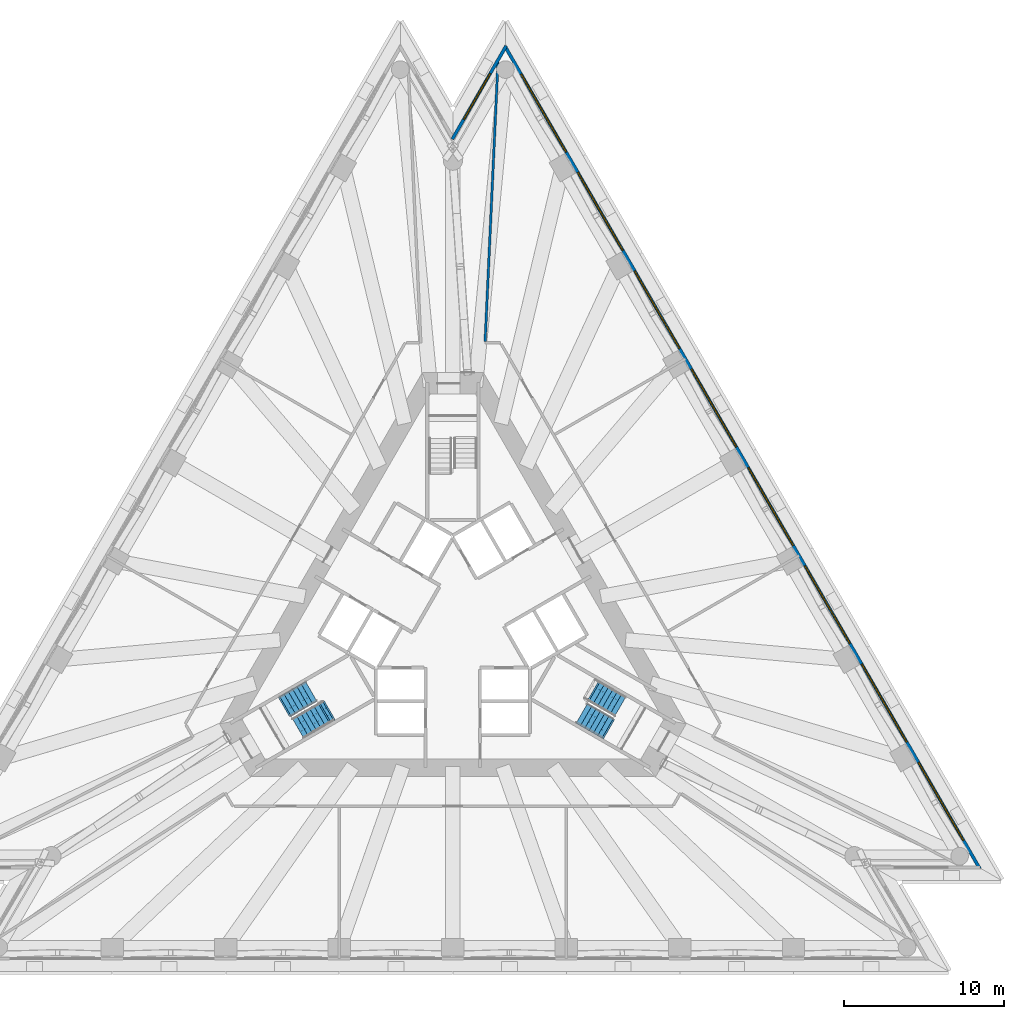
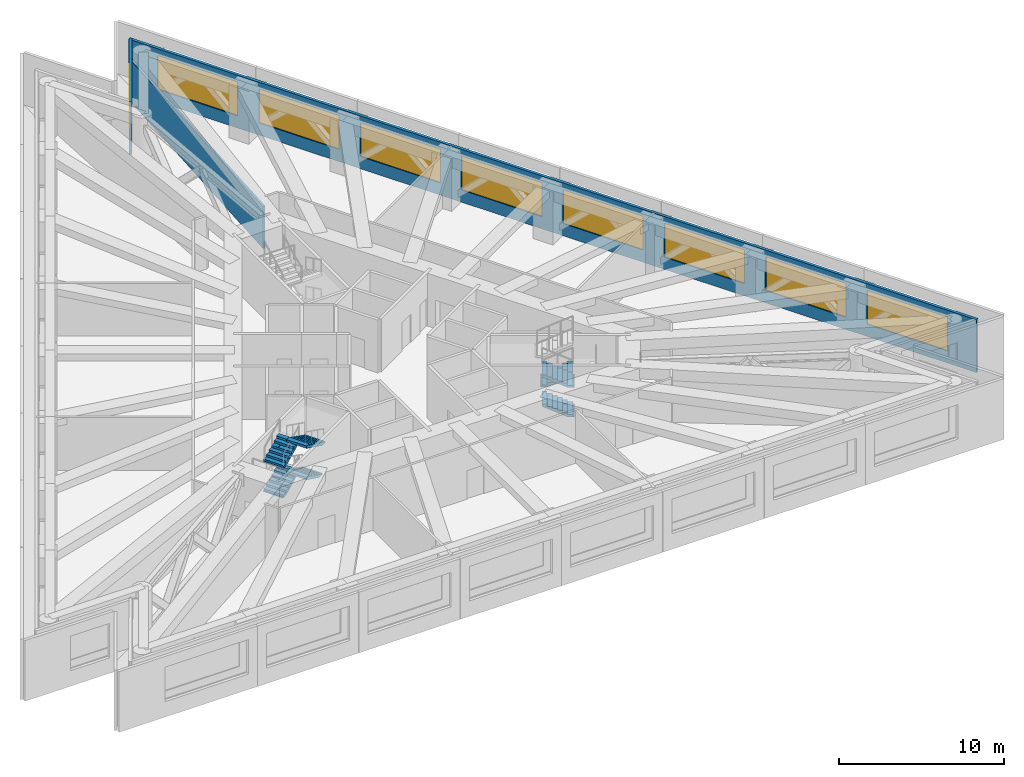
# One storey, part 10 of 13: 9 windows, 7 stair flights, 3 walls, 9 openings, 2 elements without a shape of their own.
"""IFC4 building model written with IfcOpenShell, lengths in metres."""

from ifc_helpers import new_model, si_unit, direction, frame, frame_2d, origin, place, context, subcontext, project, spatial, polyline, rectangle, outline, extrude, material, layer, layer_set, layer_usage, type_object, element, fill, aggregate, save


model = new_model("IFC4")

# Units and contexts
model_context = context("Model", 3, precision=1e-05, world=origin(), true_north=direction((0.0, 1.0)))
body_context = subcontext(model_context, "Body", "Model", "MODEL_VIEW")
ifc_project = project(units=[si_unit("LENGTHUNIT", "METRE"), si_unit("AREAUNIT", "SQUARE_METRE"), si_unit("VOLUMEUNIT", "CUBIC_METRE"), si_unit("PLANEANGLEUNIT", "RADIAN"), si_unit("MASSUNIT", "GRAM", prefix="KILO")], contexts=[model_context])

# Site, building, storey
site_placement = place(None, origin())
site = spatial("IfcSite", under=ifc_project, at=site_placement, CompositionType="ELEMENT")
building_placement = place(site_placement, origin())
building = spatial("IfcBuilding", under=site, at=building_placement, Name="Triada Interchange Tower", CompositionType="ELEMENT")
storey_placement = place(building_placement, frame((0.0, 0.0, 95.300048828125)))
storey = spatial("IfcBuildingStorey", under=building, at=storey_placement, Name="L21", CompositionType="ELEMENT", Elevation=95.300048828125)

# Wall, openings, windows
ifc_material_1 = material(Name="Cement board")
ifc_layer_1 = layer(ifc_material_1, 0.02001953125, Name="Cement board cladding")
ifc_material_2 = material(Name="Sheathing board")
ifc_layer_2 = layer(ifc_material_2, 0.014892578125, Name="Sheathing board")
ifc_material_3 = material(Name="Mineral wool")
ifc_layer_3 = layer(ifc_material_3, 0.14990234375, Name="Mineral wool between steel studs")
ifc_material_4 = material(Name="Gypsum board")
ifc_layer_4 = layer(ifc_material_4, 0.014892578125, Name="Plasterboard lining")
ifc_layer_set_1 = layer_set([ifc_layer_1, ifc_layer_2, ifc_layer_3, ifc_layer_4], Name="External wall 200")
ifc_layer_usage = layer_usage(ifc_layer_set_1, "AXIS2", "POSITIVE", -0.10009765625)
wall_type_1 = type_object("IfcWallType", Name="External wall 200", PredefinedType="ELEMENTEDWALL", material=ifc_layer_set_1)
wall_1_placement = place(storey_placement, frame((32.85693359375, -15.235107421875, 0.0), z_axis=(0.0, 0.0, 1.0), x_axis=(-0.500009108245, 0.866020145073, 0.0)))
wall_1 = element("IfcWall", 1, at=wall_1_placement, inside=storey, type_object=wall_type_1, material=ifc_layer_usage, Name="External wall L21 NE", PredefinedType="ELEMENTEDWALL", context=body_context, shape_type="SweptSolid", body=[
    extrude(rectangle(XDim=59.22509765625, YDim=0.199951171875, at=frame_2d((29.612548828125, 0.0))), origin(), (0.0, 0.0, 1.0), 3.89990234375),
])
opening_1_placement = place(wall_1_placement, frame((2.04296875, 0.0, 0.89990234375)))
opening_1 = element("IfcOpeningElement", 2, at=opening_1_placement, cuts=wall_1, Name="Opening WA21", PredefinedType="OPENING", context=body_context, shape_type="SweptSolid", body=[
    extrude(rectangle(XDim=5.60009765625, YDim=2.5, at=frame_2d((2.800048828125, 1.25))), frame((0.0, 0.10986328125, 0.0), z_axis=(0.0, -1.0, 0.0), x_axis=(1.0, 0.0, 0.0)), (0.0, 0.0, 1.0), 0.219970703125),
])
opening_2_placement = place(wall_1_placement, frame((9.123046875, 0.0, 0.89990234375)))
opening_2 = element("IfcOpeningElement", 3, at=opening_2_placement, cuts=wall_1, Name="Opening WA22", PredefinedType="OPENING", context=body_context, shape_type="SweptSolid", body=[
    extrude(rectangle(XDim=5.60009765625, YDim=2.5, at=frame_2d((2.800048828125, 1.25))), frame((0.0, 0.10986328125, 0.0), z_axis=(0.0, -1.0, 0.0), x_axis=(1.0, 0.0, 0.0)), (0.0, 0.0, 1.0), 0.219970703125),
])
opening_3_placement = place(wall_1_placement, frame((16.202880859375, 0.0, 0.89990234375)))
opening_3 = element("IfcOpeningElement", 4, at=opening_3_placement, cuts=wall_1, Name="Opening WA23", PredefinedType="OPENING", context=body_context, shape_type="SweptSolid", body=[
    extrude(rectangle(XDim=5.60009765625, YDim=2.5, at=frame_2d((2.800048828125, 1.25))), frame((0.0, 0.10986328125, 0.0), z_axis=(0.0, -1.0, 0.0), x_axis=(1.0, 0.0, 0.0)), (0.0, 0.0, 1.0), 0.219970703125),
])
opening_4_placement = place(wall_1_placement, frame((23.281982421875, 0.0, 0.89990234375)))
opening_4 = element("IfcOpeningElement", 5, at=opening_4_placement, cuts=wall_1, Name="Opening WA24", PredefinedType="OPENING", context=body_context, shape_type="SweptSolid", body=[
    extrude(rectangle(XDim=5.60009765625, YDim=2.5, at=frame_2d((2.800048828125, 1.25))), frame((0.0, 0.10986328125, 0.0), z_axis=(0.0, -1.0, 0.0), x_axis=(1.0, 0.0, 0.0)), (0.0, 0.0, 1.0), 0.219970703125),
])
opening_5_placement = place(wall_1_placement, frame((30.362060546875, 0.0, 0.89990234375)))
opening_5 = element("IfcOpeningElement", 6, at=opening_5_placement, cuts=wall_1, Name="Opening WA25", PredefinedType="OPENING", context=body_context, shape_type="SweptSolid", body=[
    extrude(rectangle(XDim=5.60009765625, YDim=2.5, at=frame_2d((2.800048828125, 1.25))), frame((0.0, 0.10986328125, 0.0), z_axis=(0.0, -1.0, 0.0), x_axis=(1.0, 0.0, 0.0)), (0.0, 0.0, 1.0), 0.219970703125),
])
opening_6_placement = place(wall_1_placement, frame((37.44189453125, 0.0, 0.89990234375)))
opening_6 = element("IfcOpeningElement", 7, at=opening_6_placement, cuts=wall_1, Name="Opening WA26", PredefinedType="OPENING", context=body_context, shape_type="SweptSolid", body=[
    extrude(rectangle(XDim=5.60009765625, YDim=2.5, at=frame_2d((2.800048828125, 1.25))), frame((0.0, 0.10986328125, 0.0), z_axis=(0.0, -1.0, 0.0), x_axis=(1.0, 0.0, 0.0)), (0.0, 0.0, 1.0), 0.219970703125),
])
opening_7_placement = place(wall_1_placement, frame((44.52197265625, 0.0, 0.89990234375)))
opening_7 = element("IfcOpeningElement", 8, at=opening_7_placement, cuts=wall_1, Name="Opening WA27", PredefinedType="OPENING", context=body_context, shape_type="SweptSolid", body=[
    extrude(rectangle(XDim=5.60009765625, YDim=2.5, at=frame_2d((2.800048828125, 1.25))), frame((0.0, 0.10986328125, 0.0), z_axis=(0.0, -1.0, 0.0), x_axis=(1.0, 0.0, 0.0)), (0.0, 0.0, 1.0), 0.219970703125),
])
opening_8_placement = place(wall_1_placement, frame((51.60205078125, 0.0, 0.89990234375)))
opening_8 = element("IfcOpeningElement", 9, at=opening_8_placement, cuts=wall_1, Name="Opening WA28", PredefinedType="OPENING", context=body_context, shape_type="SweptSolid", body=[
    extrude(rectangle(XDim=5.60009765625, YDim=2.5, at=frame_2d((2.800048828125, 1.25))), frame((0.0, 0.10986328125, 0.0), z_axis=(0.0, -1.0, 0.0), x_axis=(1.0, 0.0, 0.0)), (0.0, 0.0, 1.0), 0.219970703125),
])
ifc_material_5 = material(Name="Double glazed aluminium window", Category="aluminium")
window_type_1 = type_object("IfcWindowType", Name="Ribbon window A face", PartitioningType="SINGLE_PANEL", PredefinedType="WINDOW", material=ifc_material_5)
window_1_placement = place(opening_1_placement, origin())
window_1 = element("IfcWindow", 10, at=window_1_placement, inside=storey, type_object=window_type_1, Name="Window L21 NE 1", OverallHeight=2.5, OverallWidth=5.60009765625, PartitioningType="SINGLE_PANEL", PredefinedType="WINDOW", context=body_context, shape_type="SweptSolid", body=[
    extrude(rectangle(XDim=5.60009765625, YDim=2.5, at=frame_2d((2.800048828125, 1.25))), frame((0.0, 0.030029296875, 0.0), z_axis=(0.0, -1.0, 0.0), x_axis=(1.0, 0.0, 0.0)), (0.0, 0.0, 1.0), 0.06005859375),
])
fill(opening_1, window_1)
window_2_placement = place(opening_2_placement, origin())
window_2 = element("IfcWindow", 11, at=window_2_placement, inside=storey, type_object=window_type_1, Name="Window L21 NE 2", OverallHeight=2.5, OverallWidth=5.60009765625, PartitioningType="SINGLE_PANEL", PredefinedType="WINDOW", context=body_context, shape_type="SweptSolid", body=[
    extrude(rectangle(XDim=5.60009765625, YDim=2.5, at=frame_2d((2.800048828125, 1.25))), frame((0.0, 0.030029296875, 0.0), z_axis=(0.0, -1.0, 0.0), x_axis=(1.0, 0.0, 0.0)), (0.0, 0.0, 1.0), 0.06005859375),
])
fill(opening_2, window_2)
window_3_placement = place(opening_3_placement, origin())
window_3 = element("IfcWindow", 12, at=window_3_placement, inside=storey, type_object=window_type_1, Name="Window L21 NE 3", OverallHeight=2.5, OverallWidth=5.60009765625, PartitioningType="SINGLE_PANEL", PredefinedType="WINDOW", context=body_context, shape_type="SweptSolid", body=[
    extrude(rectangle(XDim=5.60009765625, YDim=2.5, at=frame_2d((2.800048828125, 1.25))), frame((0.0, 0.030029296875, 0.0), z_axis=(0.0, -1.0, 0.0), x_axis=(1.0, 0.0, 0.0)), (0.0, 0.0, 1.0), 0.06005859375),
])
fill(opening_3, window_3)
window_4_placement = place(opening_4_placement, origin())
window_4 = element("IfcWindow", 13, at=window_4_placement, inside=storey, type_object=window_type_1, Name="Window L21 NE 4", OverallHeight=2.5, OverallWidth=5.60009765625, PartitioningType="SINGLE_PANEL", PredefinedType="WINDOW", context=body_context, shape_type="SweptSolid", body=[
    extrude(rectangle(XDim=5.60009765625, YDim=2.5, at=frame_2d((2.800048828125, 1.25))), frame((0.0, 0.030029296875, 0.0), z_axis=(0.0, -1.0, 0.0), x_axis=(1.0, 0.0, 0.0)), (0.0, 0.0, 1.0), 0.06005859375),
])
fill(opening_4, window_4)
window_5_placement = place(opening_5_placement, origin())
window_5 = element("IfcWindow", 14, at=window_5_placement, inside=storey, type_object=window_type_1, Name="Window L21 NE 5", OverallHeight=2.5, OverallWidth=5.60009765625, PartitioningType="SINGLE_PANEL", PredefinedType="WINDOW", context=body_context, shape_type="SweptSolid", body=[
    extrude(rectangle(XDim=5.60009765625, YDim=2.5, at=frame_2d((2.800048828125, 1.25))), frame((0.0, 0.030029296875, 0.0), z_axis=(0.0, -1.0, 0.0), x_axis=(1.0, 0.0, 0.0)), (0.0, 0.0, 1.0), 0.06005859375),
])
fill(opening_5, window_5)
window_6_placement = place(opening_6_placement, origin())
window_6 = element("IfcWindow", 15, at=window_6_placement, inside=storey, type_object=window_type_1, Name="Window L21 NE 6", OverallHeight=2.5, OverallWidth=5.60009765625, PartitioningType="SINGLE_PANEL", PredefinedType="WINDOW", context=body_context, shape_type="SweptSolid", body=[
    extrude(rectangle(XDim=5.60009765625, YDim=2.5, at=frame_2d((2.800048828125, 1.25))), frame((0.0, 0.030029296875, 0.0), z_axis=(0.0, -1.0, 0.0), x_axis=(1.0, 0.0, 0.0)), (0.0, 0.0, 1.0), 0.06005859375),
])
fill(opening_6, window_6)
window_7_placement = place(opening_7_placement, origin())
window_7 = element("IfcWindow", 16, at=window_7_placement, inside=storey, type_object=window_type_1, Name="Window L21 NE 7", OverallHeight=2.5, OverallWidth=5.60009765625, PartitioningType="SINGLE_PANEL", PredefinedType="WINDOW", context=body_context, shape_type="SweptSolid", body=[
    extrude(rectangle(XDim=5.60009765625, YDim=2.5, at=frame_2d((2.800048828125, 1.25))), frame((0.0, 0.030029296875, 0.0), z_axis=(0.0, -1.0, 0.0), x_axis=(1.0, 0.0, 0.0)), (0.0, 0.0, 1.0), 0.06005859375),
])
fill(opening_7, window_7)
window_8_placement = place(opening_8_placement, origin())
window_8 = element("IfcWindow", 17, at=window_8_placement, inside=storey, type_object=window_type_1, Name="Window L21 NE 8", OverallHeight=2.5, OverallWidth=5.60009765625, PartitioningType="SINGLE_PANEL", PredefinedType="WINDOW", context=body_context, shape_type="SweptSolid", body=[
    extrude(rectangle(XDim=5.60009765625, YDim=2.5, at=frame_2d((2.800048828125, 1.25))), frame((0.0, 0.030029296875, 0.0), z_axis=(0.0, -1.0, 0.0), x_axis=(1.0, 0.0, 0.0)), (0.0, 0.0, 1.0), 0.06005859375),
])
fill(opening_8, window_8)

# Wall, opening, window
wall_2_placement = place(storey_placement, frame((3.323974609375, 36.072021484375, 0.0), z_axis=(0.0, 0.0, 1.0), x_axis=(-0.499914325741, -0.866074862191, 0.0)))
wall_2 = element("IfcWall", 18, at=wall_2_placement, inside=storey, type_object=wall_type_1, material=ifc_layer_usage, Name="External wall L21 N-1", PredefinedType="ELEMENTEDWALL", context=body_context, shape_type="SweptSolid", body=[
    extrude(rectangle(XDim=6.718994140625, YDim=0.199951171875, at=frame_2d((3.359375, 0.0))), origin(), (0.0, 0.0, 1.0), 3.89990234375),
])
opening_9_placement = place(wall_2_placement, frame((1.989990234375, 0.0, 0.89990234375)))
opening_9 = element("IfcOpeningElement", 19, at=opening_9_placement, cuts=wall_2, Name="Opening WA29", PredefinedType="OPENING", context=body_context, shape_type="SweptSolid", body=[
    extrude(rectangle(XDim=3.300048828125, YDim=2.5, at=frame_2d((1.64990234375, 1.25))), frame((0.0, 0.10986328125, 0.0), z_axis=(0.0, -1.0, 0.0), x_axis=(1.0, 0.0, 0.0)), (0.0, 0.0, 1.0), 0.219970703125),
])
window_type_2 = type_object("IfcWindowType", Name="Ribbon window A pocket", PartitioningType="SINGLE_PANEL", PredefinedType="WINDOW", material=ifc_material_5)
window_9_placement = place(opening_9_placement, origin())
window_9 = element("IfcWindow", 20, at=window_9_placement, inside=storey, type_object=window_type_2, Name="Window L21 N-1 1", OverallHeight=2.5, OverallWidth=3.300048828125, PartitioningType="SINGLE_PANEL", PredefinedType="WINDOW", context=body_context, shape_type="SweptSolid", body=[
    extrude(rectangle(XDim=3.300048828125, YDim=2.5, at=frame_2d((1.64990234375, 1.25))), frame((0.0, 0.030029296875, 0.0), z_axis=(0.0, -1.0, 0.0), x_axis=(1.0, 0.0, 0.0)), (0.0, 0.0, 1.0), 0.06005859375),
])
fill(opening_9, window_9)

# Wall
ifc_material_6 = material(Name="Gypsum board partition")
ifc_layer_5 = layer(ifc_material_6, 0.14990234375)
ifc_layer_set_2 = layer_set([ifc_layer_5], Name="PARTITION 150 EI 180")
wall_type_2 = type_object("IfcWallType", Name="PARTITION 150 EI 180", PredefinedType="PARTITIONING", material=ifc_layer_set_2)
wall_3_placement = place(storey_placement, frame((2.010009765625, 17.625, 0.0), z_axis=(0.0, 0.0, 1.0), x_axis=(0.045880565482, 0.99894693238, 0.0)))
element("IfcWall", 21, at=wall_3_placement, inside=storey, type_object=wall_type_2, Name="Wall L21 14", PredefinedType="PARTITIONING", context=body_context, shape_type="SweptSolid", body=[
    extrude(rectangle(XDim=17.586669921875, YDim=0.14990234375, at=frame_2d((8.79345703125, 0.0))), origin(), (0.0, 0.0, 1.0), 3.099853515625),
])

# Stair, stair flights
ifc_material_7 = material(Name="Concrete C35/45", Category="concrete")
stair_type = type_object("IfcStairType", Name="HALF TURN STAIR 1400", PredefinedType="HALF_TURN_STAIR", material=ifc_material_7)
stair_1_placement = place(storey_placement, origin())
stair_1 = element("IfcStair", 22, at=stair_1_placement, inside=storey, type_object=stair_type, Name="Exit stair S21-2", PredefinedType="HALF_TURN_STAIR")
stair_flight_type = type_object("IfcStairFlightType", Name="STRAIGHT STAIR FLIGHT 1400", PredefinedType="STRAIGHT", material=ifc_material_7)
stair_flight_1_placement = place(storey_placement, frame((-10.446044921875, -5.10693359375, 0.0), z_axis=(0.0, 0.0, 1.0), x_axis=(0.866025403784, 0.5, 0.0)))
stair_flight_1 = element("IfcStairFlight", 23, at=stair_flight_1_placement, type_object=stair_flight_type, Name="S21-2 flight 1", NumberOfRisers=7, NumberOfTreads=6, PredefinedType="STRAIGHT", RiserHeight=0.15517, TreadLength=0.31, context=body_context, shape_type="SweptSolid", body=[
    extrude(outline(polyline([(-0.10009765625, 0.0), (-0.10009765625, 0.02001953125), (0.0, 0.02001953125), (0.0, 0.1552734375), (0.31005859375, 0.1552734375), (0.31005859375, 0.310302734375), (0.6201171875, 0.310302734375), (0.6201171875, 0.465576171875), (0.929931640625, 0.465576171875), (0.929931640625, 0.62060546875), (1.239990234375, 0.62060546875), (1.239990234375, 0.77587890625), (1.550048828125, 0.77587890625), (1.550048828125, 0.930908203125), (1.860107421875, 0.930908203125), (1.864013671875, 0.930908203125), (1.864013671875, 1.086181640625), (1.864013671875, 0.763427734375), (0.3349609375, 0.0), (-0.10009765625, 0.0)])), frame((0.0, 0.699951171875, 0.0), z_axis=(0.0, -1.0, 0.0), x_axis=(1.0, 0.0, 0.0)), (0.0, 0.0, 1.0), 0.46533203125),
    extrude(outline(polyline([(-0.10009765625, 0.0), (-0.10009765625, 0.02001953125), (0.0, 0.02001953125), (0.0, 0.1552734375), (0.31005859375, 0.1552734375), (0.31005859375, 0.310302734375), (0.6201171875, 0.310302734375), (0.6201171875, 0.465576171875), (0.929931640625, 0.465576171875), (0.929931640625, 0.62060546875), (1.239990234375, 0.62060546875), (1.239990234375, 0.77587890625), (1.550048828125, 0.77587890625), (1.550048828125, 0.930908203125), (1.860107421875, 0.930908203125), (1.864013671875, 0.930908203125), (1.864013671875, 1.086181640625), (1.864013671875, 0.763427734375), (0.3349609375, 0.0), (-0.10009765625, 0.0)])), frame((0.0, 0.232666015625, 0.0), z_axis=(0.0, -1.0, 0.0), x_axis=(1.0, 0.0, 0.0)), (0.0, 0.0, 1.0), 0.46533203125),
    extrude(outline(polyline([(-0.10009765625, 0.0), (-0.10009765625, 0.02001953125), (0.0, 0.02001953125), (0.0, 0.1552734375), (0.31005859375, 0.1552734375), (0.31005859375, 0.310302734375), (0.6201171875, 0.310302734375), (0.6201171875, 0.465576171875), (0.929931640625, 0.465576171875), (0.929931640625, 0.62060546875), (1.239990234375, 0.62060546875), (1.239990234375, 0.77587890625), (1.550048828125, 0.77587890625), (1.550048828125, 0.930908203125), (1.860107421875, 0.930908203125), (1.864013671875, 0.930908203125), (1.864013671875, 1.086181640625), (1.864013671875, 0.763427734375), (0.3349609375, 0.0), (-0.10009765625, 0.0)])), frame((0.0, -0.234619140625, 0.0), z_axis=(0.0, -1.0, 0.0), x_axis=(1.0, 0.0, 0.0)), (0.0, 0.0, 1.0), 0.46533203125),
])
stair_flight_2_placement = place(storey_placement, frame((-8.034912109375, -5.56298828125, 1.086181640625), z_axis=(0.0, 0.0, 1.0), x_axis=(-0.866025403784, -0.5, 0.0)))
stair_flight_2 = element("IfcStairFlight", 24, at=stair_flight_2_placement, type_object=stair_flight_type, Name="S21-2 flight 2", NumberOfRisers=7, NumberOfTreads=6, PredefinedType="STRAIGHT", RiserHeight=0.15517, TreadLength=0.31, context=body_context, shape_type="SweptSolid", body=[
    extrude(outline(polyline([(-0.10009765625, 0.0), (-0.10009765625, 0.02001953125), (0.0, 0.02001953125), (0.0, 0.1552734375), (0.31005859375, 0.1552734375), (0.31005859375, 0.310302734375), (0.6201171875, 0.310302734375), (0.6201171875, 0.465576171875), (0.929931640625, 0.465576171875), (0.929931640625, 0.62060546875), (1.239990234375, 0.62060546875), (1.239990234375, 0.77587890625), (1.550048828125, 0.77587890625), (1.550048828125, 0.930908203125), (1.860107421875, 0.930908203125), (1.864013671875, 0.930908203125), (1.864013671875, 1.086181640625), (1.864013671875, 0.763427734375), (0.3349609375, 0.0), (-0.10009765625, 0.0)])), frame((0.0, 0.699951171875, 0.0), z_axis=(0.0, -1.0, 0.0), x_axis=(1.0, 0.0, 0.0)), (0.0, 0.0, 1.0), 0.46533203125),
    extrude(outline(polyline([(-0.10009765625, 0.0), (-0.10009765625, 0.02001953125), (0.0, 0.02001953125), (0.0, 0.1552734375), (0.31005859375, 0.1552734375), (0.31005859375, 0.310302734375), (0.6201171875, 0.310302734375), (0.6201171875, 0.465576171875), (0.929931640625, 0.465576171875), (0.929931640625, 0.62060546875), (1.239990234375, 0.62060546875), (1.239990234375, 0.77587890625), (1.550048828125, 0.77587890625), (1.550048828125, 0.930908203125), (1.860107421875, 0.930908203125), (1.864013671875, 0.930908203125), (1.864013671875, 1.086181640625), (1.864013671875, 0.763427734375), (0.3349609375, 0.0), (-0.10009765625, 0.0)])), frame((0.0, 0.232666015625, 0.0), z_axis=(0.0, -1.0, 0.0), x_axis=(1.0, 0.0, 0.0)), (0.0, 0.0, 1.0), 0.46533203125),
    extrude(outline(polyline([(-0.10009765625, 0.0), (-0.10009765625, 0.02001953125), (0.0, 0.02001953125), (0.0, 0.1552734375), (0.31005859375, 0.1552734375), (0.31005859375, 0.310302734375), (0.6201171875, 0.310302734375), (0.6201171875, 0.465576171875), (0.929931640625, 0.465576171875), (0.929931640625, 0.62060546875), (1.239990234375, 0.62060546875), (1.239990234375, 0.77587890625), (1.550048828125, 0.77587890625), (1.550048828125, 0.930908203125), (1.860107421875, 0.930908203125), (1.864013671875, 0.930908203125), (1.864013671875, 1.086181640625), (1.864013671875, 0.763427734375), (0.3349609375, 0.0), (-0.10009765625, 0.0)])), frame((0.0, -0.234619140625, 0.0), z_axis=(0.0, -1.0, 0.0), x_axis=(1.0, 0.0, 0.0)), (0.0, 0.0, 1.0), 0.46533203125),
])
stair_flight_3_placement = place(storey_placement, frame((-10.446044921875, -5.10693359375, 2.17236328125), z_axis=(0.0, 0.0, 1.0), x_axis=(0.866025403784, 0.5, 0.0)))
stair_flight_3 = element("IfcStairFlight", 25, at=stair_flight_3_placement, type_object=stair_flight_type, Name="S21-2 flight 3", NumberOfRisers=7, NumberOfTreads=6, PredefinedType="STRAIGHT", RiserHeight=0.15517, TreadLength=0.31, context=body_context, shape_type="SweptSolid", body=[
    extrude(outline(polyline([(-0.10009765625, 0.0), (-0.10009765625, 0.02001953125), (0.0, 0.02001953125), (0.0, 0.1552734375), (0.31005859375, 0.1552734375), (0.31005859375, 0.310302734375), (0.6201171875, 0.310302734375), (0.6201171875, 0.465576171875), (0.929931640625, 0.465576171875), (0.929931640625, 0.62060546875), (1.239990234375, 0.62060546875), (1.239990234375, 0.77587890625), (1.550048828125, 0.77587890625), (1.550048828125, 0.930908203125), (1.860107421875, 0.930908203125), (1.864013671875, 0.930908203125), (1.864013671875, 1.086181640625), (1.864013671875, 0.763427734375), (0.3349609375, 0.0), (-0.10009765625, 0.0)])), frame((0.0, 0.699951171875, 0.0), z_axis=(0.0, -1.0, 0.0), x_axis=(1.0, 0.0, 0.0)), (0.0, 0.0, 1.0), 0.46533203125),
    extrude(outline(polyline([(-0.10009765625, 0.0), (-0.10009765625, 0.02001953125), (0.0, 0.02001953125), (0.0, 0.1552734375), (0.31005859375, 0.1552734375), (0.31005859375, 0.310302734375), (0.6201171875, 0.310302734375), (0.6201171875, 0.465576171875), (0.929931640625, 0.465576171875), (0.929931640625, 0.62060546875), (1.239990234375, 0.62060546875), (1.239990234375, 0.77587890625), (1.550048828125, 0.77587890625), (1.550048828125, 0.930908203125), (1.860107421875, 0.930908203125), (1.864013671875, 0.930908203125), (1.864013671875, 1.086181640625), (1.864013671875, 0.763427734375), (0.3349609375, 0.0), (-0.10009765625, 0.0)])), frame((0.0, 0.232666015625, 0.0), z_axis=(0.0, -1.0, 0.0), x_axis=(1.0, 0.0, 0.0)), (0.0, 0.0, 1.0), 0.46533203125),
    extrude(outline(polyline([(-0.10009765625, 0.0), (-0.10009765625, 0.02001953125), (0.0, 0.02001953125), (0.0, 0.1552734375), (0.31005859375, 0.1552734375), (0.31005859375, 0.310302734375), (0.6201171875, 0.310302734375), (0.6201171875, 0.465576171875), (0.929931640625, 0.465576171875), (0.929931640625, 0.62060546875), (1.239990234375, 0.62060546875), (1.239990234375, 0.77587890625), (1.550048828125, 0.77587890625), (1.550048828125, 0.930908203125), (1.860107421875, 0.930908203125), (1.864013671875, 0.930908203125), (1.864013671875, 1.086181640625), (1.864013671875, 0.763427734375), (0.3349609375, 0.0), (-0.10009765625, 0.0)])), frame((0.0, -0.234619140625, 0.0), z_axis=(0.0, -1.0, 0.0), x_axis=(1.0, 0.0, 0.0)), (0.0, 0.0, 1.0), 0.46533203125),
])
stair_flight_4_placement = place(storey_placement, frame((-7.76708984375, -5.407958984375, 3.258544921875), z_axis=(0.0, 0.0, 1.0), x_axis=(-0.866025403784, -0.5, 0.0)))
stair_flight_4 = element("IfcStairFlight", 26, at=stair_flight_4_placement, type_object=stair_flight_type, Name="S21-2 flight 4", NumberOfRisers=8, NumberOfTreads=7, PredefinedType="STRAIGHT", RiserHeight=0.15517, TreadLength=0.31, context=body_context, shape_type="SweptSolid", body=[
    extrude(outline(polyline([(-0.10009765625, 0.0), (-0.10009765625, 0.02001953125), (0.0, 0.02001953125), (0.0, 0.1552734375), (0.31005859375, 0.1552734375), (0.31005859375, 0.310302734375), (0.6201171875, 0.310302734375), (0.6201171875, 0.465576171875), (0.929931640625, 0.465576171875), (0.929931640625, 0.62060546875), (1.239990234375, 0.62060546875), (1.239990234375, 0.77587890625), (1.550048828125, 0.77587890625), (1.550048828125, 0.930908203125), (1.860107421875, 0.930908203125), (1.860107421875, 1.086181640625), (2.169921875, 1.086181640625), (2.174072265625, 1.086181640625), (2.174072265625, 1.241455078125), (2.174072265625, 0.91845703125), (0.3349609375, 0.0), (-0.10009765625, 0.0)])), frame((0.0, 0.699951171875, 0.0), z_axis=(0.0, -1.0, 0.0), x_axis=(1.0, 0.0, 0.0)), (0.0, 0.0, 1.0), 0.46533203125),
    extrude(outline(polyline([(-0.10009765625, 0.0), (-0.10009765625, 0.02001953125), (0.0, 0.02001953125), (0.0, 0.1552734375), (0.31005859375, 0.1552734375), (0.31005859375, 0.310302734375), (0.6201171875, 0.310302734375), (0.6201171875, 0.465576171875), (0.929931640625, 0.465576171875), (0.929931640625, 0.62060546875), (1.239990234375, 0.62060546875), (1.239990234375, 0.77587890625), (1.550048828125, 0.77587890625), (1.550048828125, 0.930908203125), (1.860107421875, 0.930908203125), (1.860107421875, 1.086181640625), (2.169921875, 1.086181640625), (2.174072265625, 1.086181640625), (2.174072265625, 1.241455078125), (2.174072265625, 0.91845703125), (0.3349609375, 0.0), (-0.10009765625, 0.0)])), frame((0.0, 0.232666015625, 0.0), z_axis=(0.0, -1.0, 0.0), x_axis=(1.0, 0.0, 0.0)), (0.0, 0.0, 1.0), 0.46533203125),
    extrude(outline(polyline([(-0.10009765625, 0.0), (-0.10009765625, 0.02001953125), (0.0, 0.02001953125), (0.0, 0.1552734375), (0.31005859375, 0.1552734375), (0.31005859375, 0.310302734375), (0.6201171875, 0.310302734375), (0.6201171875, 0.465576171875), (0.929931640625, 0.465576171875), (0.929931640625, 0.62060546875), (1.239990234375, 0.62060546875), (1.239990234375, 0.77587890625), (1.550048828125, 0.77587890625), (1.550048828125, 0.930908203125), (1.860107421875, 0.930908203125), (1.860107421875, 1.086181640625), (2.169921875, 1.086181640625), (2.174072265625, 1.086181640625), (2.174072265625, 1.241455078125), (2.174072265625, 0.91845703125), (0.3349609375, 0.0), (-0.10009765625, 0.0)])), frame((0.0, -0.234619140625, 0.0), z_axis=(0.0, -1.0, 0.0), x_axis=(1.0, 0.0, 0.0)), (0.0, 0.0, 1.0), 0.46533203125),
])
aggregate(stair_1, [stair_flight_1, stair_flight_2, stair_flight_3, stair_flight_4])

stair_2_placement = place(storey_placement, origin())
stair_2 = element("IfcStair", 27, at=stair_2_placement, inside=storey, type_object=stair_type, Name="Exit stair S21-3", PredefinedType="HALF_TURN_STAIR")
stair_flight_5_placement = place(storey_placement, frame((9.64599609375, -6.492919921875, 0.0), z_axis=(0.0, 0.0, 1.0), x_axis=(-0.866025403784, 0.5, 0.0)))
stair_flight_5 = element("IfcStairFlight", 28, at=stair_flight_5_placement, type_object=stair_flight_type, Name="S21-3 flight 1", NumberOfRisers=7, NumberOfTreads=6, PredefinedType="STRAIGHT", RiserHeight=0.15517, TreadLength=0.31, context=body_context, shape_type="SweptSolid", body=[
    extrude(outline(polyline([(-0.10009765625, 0.0), (-0.10009765625, 0.02001953125), (0.0, 0.02001953125), (0.0, 0.1552734375), (0.31005859375, 0.1552734375), (0.31005859375, 0.310302734375), (0.6201171875, 0.310302734375), (0.6201171875, 0.465576171875), (0.929931640625, 0.465576171875), (0.929931640625, 0.62060546875), (1.239990234375, 0.62060546875), (1.239990234375, 0.77587890625), (1.550048828125, 0.77587890625), (1.550048828125, 0.930908203125), (1.860107421875, 0.930908203125), (1.864013671875, 0.930908203125), (1.864013671875, 1.086181640625), (1.864013671875, 0.763427734375), (0.3349609375, 0.0), (-0.10009765625, 0.0)])), frame((0.0, 0.699951171875, 0.0), z_axis=(0.0, -1.0, 0.0), x_axis=(1.0, 0.0, 0.0)), (0.0, 0.0, 1.0), 0.46533203125),
    extrude(outline(polyline([(-0.10009765625, 0.0), (-0.10009765625, 0.02001953125), (0.0, 0.02001953125), (0.0, 0.1552734375), (0.31005859375, 0.1552734375), (0.31005859375, 0.310302734375), (0.6201171875, 0.310302734375), (0.6201171875, 0.465576171875), (0.929931640625, 0.465576171875), (0.929931640625, 0.62060546875), (1.239990234375, 0.62060546875), (1.239990234375, 0.77587890625), (1.550048828125, 0.77587890625), (1.550048828125, 0.930908203125), (1.860107421875, 0.930908203125), (1.864013671875, 0.930908203125), (1.864013671875, 1.086181640625), (1.864013671875, 0.763427734375), (0.3349609375, 0.0), (-0.10009765625, 0.0)])), frame((0.0, 0.232666015625, 0.0), z_axis=(0.0, -1.0, 0.0), x_axis=(1.0, 0.0, 0.0)), (0.0, 0.0, 1.0), 0.46533203125),
    extrude(outline(polyline([(-0.10009765625, 0.0), (-0.10009765625, 0.02001953125), (0.0, 0.02001953125), (0.0, 0.1552734375), (0.31005859375, 0.1552734375), (0.31005859375, 0.310302734375), (0.6201171875, 0.310302734375), (0.6201171875, 0.465576171875), (0.929931640625, 0.465576171875), (0.929931640625, 0.62060546875), (1.239990234375, 0.62060546875), (1.239990234375, 0.77587890625), (1.550048828125, 0.77587890625), (1.550048828125, 0.930908203125), (1.860107421875, 0.930908203125), (1.864013671875, 0.930908203125), (1.864013671875, 1.086181640625), (1.864013671875, 0.763427734375), (0.3349609375, 0.0), (-0.10009765625, 0.0)])), frame((0.0, -0.234619140625, 0.0), z_axis=(0.0, -1.0, 0.0), x_axis=(1.0, 0.0, 0.0)), (0.0, 0.0, 1.0), 0.46533203125),
])
stair_flight_6_placement = place(storey_placement, frame((8.8349609375, -4.177001953125, 1.086181640625), z_axis=(0.0, 0.0, 1.0), x_axis=(0.866025403784, -0.5, 0.0)))
stair_flight_6 = element("IfcStairFlight", 29, at=stair_flight_6_placement, type_object=stair_flight_type, Name="S21-3 flight 2", NumberOfRisers=7, NumberOfTreads=6, PredefinedType="STRAIGHT", RiserHeight=0.15517, TreadLength=0.31, context=body_context, shape_type="SweptSolid", body=[
    extrude(outline(polyline([(-0.10009765625, 0.0), (-0.10009765625, 0.02001953125), (0.0, 0.02001953125), (0.0, 0.1552734375), (0.31005859375, 0.1552734375), (0.31005859375, 0.310302734375), (0.6201171875, 0.310302734375), (0.6201171875, 0.465576171875), (0.929931640625, 0.465576171875), (0.929931640625, 0.62060546875), (1.239990234375, 0.62060546875), (1.239990234375, 0.77587890625), (1.550048828125, 0.77587890625), (1.550048828125, 0.930908203125), (1.860107421875, 0.930908203125), (1.864013671875, 0.930908203125), (1.864013671875, 1.086181640625), (1.864013671875, 0.763427734375), (0.3349609375, 0.0), (-0.10009765625, 0.0)])), frame((0.0, 0.699951171875, 0.0), z_axis=(0.0, -1.0, 0.0), x_axis=(1.0, 0.0, 0.0)), (0.0, 0.0, 1.0), 0.46533203125),
    extrude(outline(polyline([(-0.10009765625, 0.0), (-0.10009765625, 0.02001953125), (0.0, 0.02001953125), (0.0, 0.1552734375), (0.31005859375, 0.1552734375), (0.31005859375, 0.310302734375), (0.6201171875, 0.310302734375), (0.6201171875, 0.465576171875), (0.929931640625, 0.465576171875), (0.929931640625, 0.62060546875), (1.239990234375, 0.62060546875), (1.239990234375, 0.77587890625), (1.550048828125, 0.77587890625), (1.550048828125, 0.930908203125), (1.860107421875, 0.930908203125), (1.864013671875, 0.930908203125), (1.864013671875, 1.086181640625), (1.864013671875, 0.763427734375), (0.3349609375, 0.0), (-0.10009765625, 0.0)])), frame((0.0, 0.232666015625, 0.0), z_axis=(0.0, -1.0, 0.0), x_axis=(1.0, 0.0, 0.0)), (0.0, 0.0, 1.0), 0.46533203125),
    extrude(outline(polyline([(-0.10009765625, 0.0), (-0.10009765625, 0.02001953125), (0.0, 0.02001953125), (0.0, 0.1552734375), (0.31005859375, 0.1552734375), (0.31005859375, 0.310302734375), (0.6201171875, 0.310302734375), (0.6201171875, 0.465576171875), (0.929931640625, 0.465576171875), (0.929931640625, 0.62060546875), (1.239990234375, 0.62060546875), (1.239990234375, 0.77587890625), (1.550048828125, 0.77587890625), (1.550048828125, 0.930908203125), (1.860107421875, 0.930908203125), (1.864013671875, 0.930908203125), (1.864013671875, 1.086181640625), (1.864013671875, 0.763427734375), (0.3349609375, 0.0), (-0.10009765625, 0.0)])), frame((0.0, -0.234619140625, 0.0), z_axis=(0.0, -1.0, 0.0), x_axis=(1.0, 0.0, 0.0)), (0.0, 0.0, 1.0), 0.46533203125),
])
stair_flight_7_placement = place(storey_placement, frame((9.64599609375, -6.492919921875, 2.17236328125), z_axis=(0.0, 0.0, 1.0), x_axis=(-0.866025403784, 0.5, 0.0)))
stair_flight_7 = element("IfcStairFlight", 30, at=stair_flight_7_placement, type_object=stair_flight_type, Name="S21-3 flight 3", NumberOfRisers=7, NumberOfTreads=6, PredefinedType="STRAIGHT", RiserHeight=0.15517, TreadLength=0.31, context=body_context, shape_type="SweptSolid", body=[
    extrude(outline(polyline([(-0.10009765625, 0.0), (-0.10009765625, 0.02001953125), (0.0, 0.02001953125), (0.0, 0.1552734375), (0.31005859375, 0.1552734375), (0.31005859375, 0.310302734375), (0.6201171875, 0.310302734375), (0.6201171875, 0.465576171875), (0.929931640625, 0.465576171875), (0.929931640625, 0.62060546875), (1.239990234375, 0.62060546875), (1.239990234375, 0.77587890625), (1.550048828125, 0.77587890625), (1.550048828125, 0.930908203125), (1.860107421875, 0.930908203125), (1.864013671875, 0.930908203125), (1.864013671875, 1.086181640625), (1.864013671875, 0.763427734375), (0.3349609375, 0.0), (-0.10009765625, 0.0)])), frame((0.0, 0.699951171875, 0.0), z_axis=(0.0, -1.0, 0.0), x_axis=(1.0, 0.0, 0.0)), (0.0, 0.0, 1.0), 0.46533203125),
    extrude(outline(polyline([(-0.10009765625, 0.0), (-0.10009765625, 0.02001953125), (0.0, 0.02001953125), (0.0, 0.1552734375), (0.31005859375, 0.1552734375), (0.31005859375, 0.310302734375), (0.6201171875, 0.310302734375), (0.6201171875, 0.465576171875), (0.929931640625, 0.465576171875), (0.929931640625, 0.62060546875), (1.239990234375, 0.62060546875), (1.239990234375, 0.77587890625), (1.550048828125, 0.77587890625), (1.550048828125, 0.930908203125), (1.860107421875, 0.930908203125), (1.864013671875, 0.930908203125), (1.864013671875, 1.086181640625), (1.864013671875, 0.763427734375), (0.3349609375, 0.0), (-0.10009765625, 0.0)])), frame((0.0, 0.232666015625, 0.0), z_axis=(0.0, -1.0, 0.0), x_axis=(1.0, 0.0, 0.0)), (0.0, 0.0, 1.0), 0.46533203125),
    extrude(outline(polyline([(-0.10009765625, 0.0), (-0.10009765625, 0.02001953125), (0.0, 0.02001953125), (0.0, 0.1552734375), (0.31005859375, 0.1552734375), (0.31005859375, 0.310302734375), (0.6201171875, 0.310302734375), (0.6201171875, 0.465576171875), (0.929931640625, 0.465576171875), (0.929931640625, 0.62060546875), (1.239990234375, 0.62060546875), (1.239990234375, 0.77587890625), (1.550048828125, 0.77587890625), (1.550048828125, 0.930908203125), (1.860107421875, 0.930908203125), (1.864013671875, 0.930908203125), (1.864013671875, 1.086181640625), (1.864013671875, 0.763427734375), (0.3349609375, 0.0), (-0.10009765625, 0.0)])), frame((0.0, -0.234619140625, 0.0), z_axis=(0.0, -1.0, 0.0), x_axis=(1.0, 0.0, 0.0)), (0.0, 0.0, 1.0), 0.46533203125),
])
aggregate(stair_2, [stair_flight_5, stair_flight_6, stair_flight_7])

save(model, "model.ifc")
